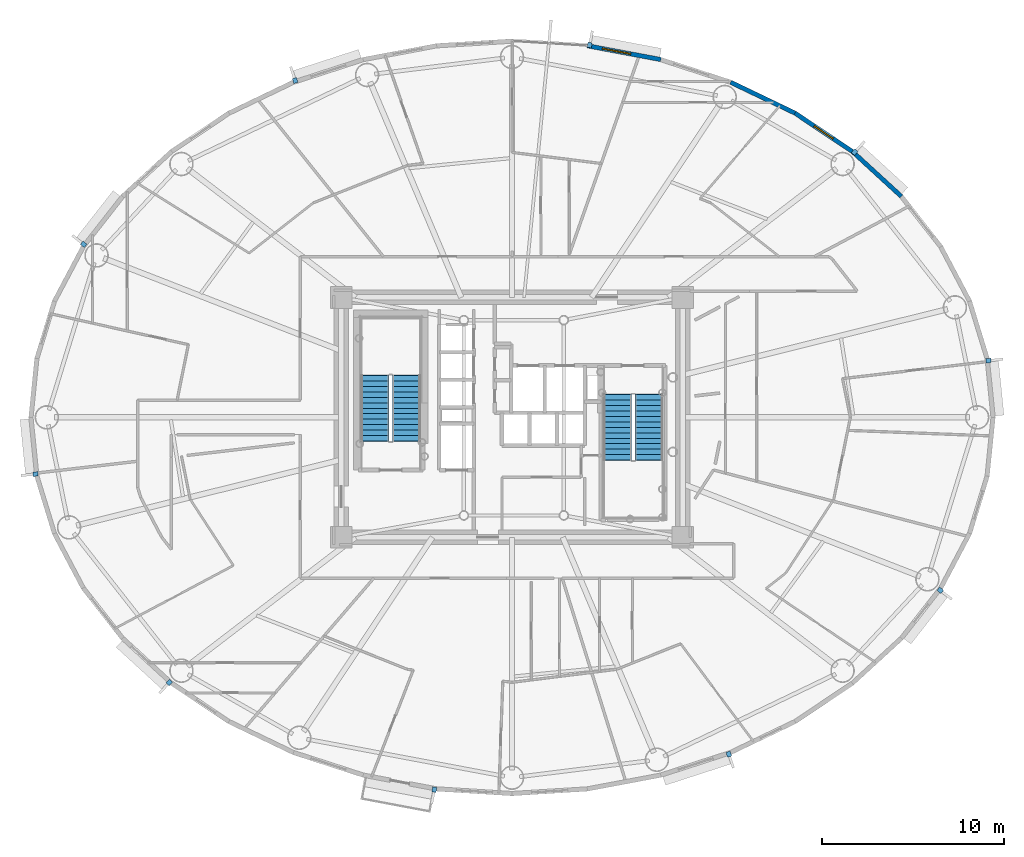
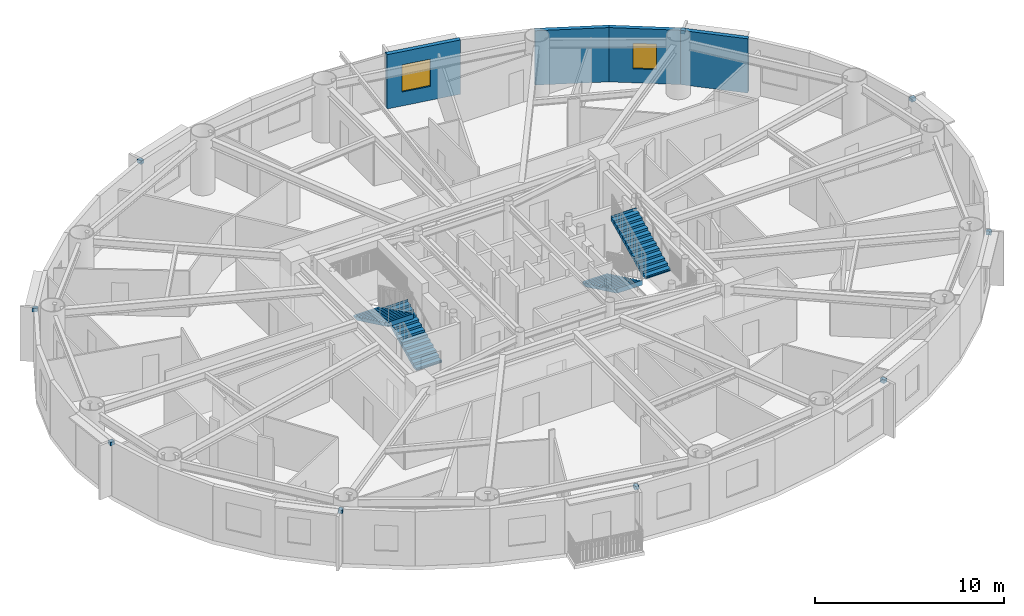
# One storey, part 11 of 17: 10 discrete accessories, 4 stair flights, 4 walls, 2 windows, 2 openings, 2 elements without a shape of their own.
"""IFC4 building model written with IfcOpenShell, lengths in metres."""

from ifc_helpers import new_model, si_unit, direction, frame, frame_2d, origin, origin_2d, place, context, subcontext, project, spatial, polyline, rectangle, outline, extrude, source, transform, mapped, material, layer, layer_set, type_object, element, fill, aggregate, save


model = new_model("IFC4")

# Units and contexts
model_context = context("Model", 3, precision=1e-05, world=origin(), true_north=direction((0.0, 1.0)))
body_context = subcontext(model_context, "Body", "Model", "MODEL_VIEW")
ifc_project = project(units=[si_unit("LENGTHUNIT", "METRE"), si_unit("AREAUNIT", "SQUARE_METRE"), si_unit("VOLUMEUNIT", "CUBIC_METRE"), si_unit("PLANEANGLEUNIT", "RADIAN"), si_unit("MASSUNIT", "GRAM", prefix="KILO")], contexts=[model_context])

# Site, building, storey
site_placement = place(None, origin())
site = spatial("IfcSite", under=ifc_project, at=site_placement, CompositionType="ELEMENT")
building_placement = place(site_placement, origin())
building = spatial("IfcBuilding", under=site, at=building_placement, Name="Linh Dai School and Residence Tower", CompositionType="ELEMENT")
storey_placement = place(building_placement, frame((0.0, 0.0, 182.39990234375)))
storey = spatial("IfcBuildingStorey", under=building, at=storey_placement, Name="L44", CompositionType="ELEMENT", Elevation=182.39990234375)

# Wall
ifc_material_1 = material(Name="Precast Concrete B45 (C35/45)", Category="concrete")
ifc_layer = layer(ifc_material_1, 0.239990234375)
ifc_layer_set = layer_set([ifc_layer], Name="Precast Concrete B45 (C35/45)")
wall_type = type_object("IfcWallType", Name="EW-TC-240", PredefinedType="SOLIDWALL", material=ifc_layer_set)
wall_1_placement = place(storey_placement, frame((54.73193359375, 41.630615234375, 0.0), z_axis=(0.0, 0.0, 1.0), x_axis=(0.737076565834, -0.675809245349, 0.0)))
element("IfcWall", 1, at=wall_1_placement, inside=storey, type_object=wall_type, Name="L44 Terracotta Exterior Wall 05", PredefinedType="SOLIDWALL", context=body_context, shape_type="SweptSolid", body=[
    extrude(rectangle(XDim=3.658203125, YDim=0.239990234375, at=frame_2d((1.8291015625, 0.0))), origin(), (0.0, 0.0, 1.0), 3.5),
])

# Wall, opening, window
wall_2_placement = place(storey_placement, frame((51.5732421875, 43.7431640625, 0.0), z_axis=(0.0, 0.0, 1.0), x_axis=(0.831228998277, -0.555930168657, 0.0)))
wall_2 = element("IfcWall", 2, at=wall_2_placement, inside=storey, type_object=wall_type, Name="L44 Terracotta Exterior Wall 06", PredefinedType="SOLIDWALL", context=body_context, shape_type="SweptSolid", body=[
    extrude(rectangle(XDim=3.800048828125, YDim=0.239990234375, at=frame_2d((1.89990234375, 0.0))), origin(), (0.0, 0.0, 1.0), 3.5),
])
opening_1_placement = place(wall_2_placement, frame((1.27490234375, 0.0, 0.89990234375)))
opening_1 = element("IfcOpeningElement", 3, at=opening_1_placement, cuts=wall_2, Name="Opening W3", PredefinedType="OPENING", context=body_context, shape_type="SweptSolid", body=[
    extrude(rectangle(XDim=1.25, YDim=1.64990234375, at=origin_2d()), frame((0.625, 0.1298828125, 0.824951171875), z_axis=(0.0, -1.0, 0.0), x_axis=(1.0, 0.0, 0.0)), (0.0, 0.0, 1.0), 0.260009765625),
])
ifc_material_2 = material(Name="Double Low-E Insulated Glazing", Category="glass")
window_type_1 = type_object("IfcWindowType", Name="WN-RES-1250x1650", PartitioningType="SINGLE_PANEL", PredefinedType="WINDOW", material=ifc_material_2)
shared_shape_1 = source(origin(), body_context, "Body", "SweptSolid", [
    extrude(rectangle(XDim=1.25, YDim=1.64990234375, at=origin_2d()), frame((0.625, 0.030029296875, 0.824951171875), z_axis=(0.0, -1.0, 0.0), x_axis=(1.0, 0.0, 0.0)), (0.0, 0.0, 1.0), 0.06005859375),
])
window_1_placement = place(opening_1_placement, origin())
window_1 = element("IfcWindow", 4, at=window_1_placement, inside=storey, type_object=window_type_1, Name="L44 Dwelling Window U4401-BD1", OverallHeight=1.64990234375, OverallWidth=1.25, PartitioningType="SINGLE_PANEL", PredefinedType="WINDOW", context=body_context, shape_type="MappedRepresentation", body=[
    mapped(shared_shape_1, transform((0.0, 0.0, 0.0), x_axis=(1.0, 0.0, 0.0), y_axis=(0.0, 1.0, 0.0), z_axis=(0.0, 0.0, 1.0), scale=1.0)),
])
fill(opening_1, window_1)

# Wall
wall_3_placement = place(storey_placement, frame((48.02978515625, 45.443603515625, 0.0), z_axis=(0.0, 0.0, 1.0), x_axis=(0.901564733809, -0.432644231155, 0.0)))
element("IfcWall", 5, at=wall_3_placement, inside=storey, type_object=wall_type, Name="L44 Terracotta Exterior Wall 07", PredefinedType="SOLIDWALL", context=body_context, shape_type="SweptSolid", body=[
    extrude(rectangle(XDim=3.930419921875, YDim=0.239990234375, at=frame_2d((1.96533203125, 0.0))), origin(), (0.0, 0.0, 1.0), 3.5),
])

# Wall, opening, window
wall_4_placement = place(storey_placement, frame((40.145751953125, 47.449462890625, 0.0), z_axis=(0.0, 0.0, 1.0), x_axis=(0.982788108205, -0.184736391573, 0.0)))
wall_4 = element("IfcWall", 6, at=wall_4_placement, inside=storey, type_object=wall_type, Name="L44 Terracotta Exterior Wall 09", PredefinedType="SOLIDWALL", context=body_context, shape_type="SweptSolid", body=[
    extrude(rectangle(XDim=4.114013671875, YDim=0.239990234375, at=frame_2d((2.05712890625, 0.0))), origin(), (0.0, 0.0, 1.0), 3.5),
])
opening_2_placement = place(wall_4_placement, frame((0.83642578125, 0.0, 0.89990234375)))
opening_2 = element("IfcOpeningElement", 7, at=opening_2_placement, cuts=wall_4, Name="Opening W2", PredefinedType="OPENING", context=body_context, shape_type="SweptSolid", body=[
    extrude(rectangle(XDim=1.60009765625, YDim=1.75, at=origin_2d()), frame((0.800048828125, 0.1298828125, 0.875), z_axis=(0.0, -1.0, 0.0), x_axis=(1.0, 0.0, 0.0)), (0.0, 0.0, 1.0), 0.260009765625),
])
window_type_2 = type_object("IfcWindowType", Name="WN-RES-1600x1750", PartitioningType="DOUBLE_PANEL_VERTICAL", PredefinedType="WINDOW", material=ifc_material_2)
shared_shape_2 = source(origin(), body_context, "Body", "SweptSolid", [
    extrude(rectangle(XDim=1.60009765625, YDim=1.75, at=origin_2d()), frame((0.800048828125, 0.030029296875, 0.875), z_axis=(0.0, -1.0, 0.0), x_axis=(1.0, 0.0, 0.0)), (0.0, 0.0, 1.0), 0.06005859375),
])
window_2_placement = place(opening_2_placement, origin())
window_2 = element("IfcWindow", 8, at=window_2_placement, inside=storey, type_object=window_type_2, Name="L44 Exterior Window 09.1", OverallHeight=1.75, OverallWidth=1.60009765625, PartitioningType="DOUBLE_PANEL_VERTICAL", PredefinedType="WINDOW", context=body_context, shape_type="MappedRepresentation", body=[
    mapped(shared_shape_2, transform((0.0, 0.0, 0.0), x_axis=(1.0, 0.0, 0.0), y_axis=(0.0, 1.0, 0.0), z_axis=(0.0, 0.0, 1.0), scale=1.0)),
])
fill(opening_2, window_2)

# Stair, stair flights
ifc_material_3 = material(Name="Concrete B45 (C35/45)", Category="concrete")
stair_type = type_object("IfcStairType", Name="ST-DOG-1550-R1442", PredefinedType="HALF_TURN_STAIR", material=ifc_material_3)
stair_1_placement = place(storey_placement, origin())
stair_1 = element("IfcStair", 9, at=stair_1_placement, inside=storey, type_object=stair_type, Name="L44 Core Smokeproof Exit Stair ST1", PredefinedType="HALF_TURN_STAIR")
stair_flight_type = type_object("IfcStairFlightType", Name="STF-STR-1550-R1442", PredefinedType="STRAIGHT", material=ifc_material_3)
shared_shape_3 = source(origin(), body_context, "Body", "SweptSolid", [
    extrude(outline(polyline([(-0.02490234375, 0.0), (-0.02490234375, 0.06005859375), (0.0, 0.06005859375), (0.0, 0.144287109375), (0.300048828125, 0.144287109375), (0.300048828125, 0.28857421875), (0.60009765625, 0.28857421875), (0.60009765625, 0.4326171875), (0.89990234375, 0.4326171875), (0.89990234375, 0.576904296875), (1.199951171875, 0.576904296875), (1.199951171875, 0.72119140625), (1.5, 0.72119140625), (1.5, 0.865478515625), (1.800048828125, 0.865478515625), (1.800048828125, 1.009521484375), (2.10009765625, 1.009521484375), (2.10009765625, 1.15380859375), (2.39990234375, 1.15380859375), (2.39990234375, 1.298095703125), (2.699951171875, 1.298095703125), (2.699951171875, 1.4423828125), (3.0, 1.4423828125), (3.0, 1.58642578125), (3.300048828125, 1.58642578125), (3.300048828125, 1.730712890625), (3.60009765625, 1.730712890625), (3.60009765625, 1.875), (3.625, 1.875), (3.625, 1.564453125), (3.60009765625, 1.564453125), (0.345947265625, 0.0), (-0.02490234375, 0.0)])), frame((0.0, 0.77490234375, 0.0), z_axis=(0.0, -1.0, 0.0), x_axis=(1.0, 0.0, 0.0)), (0.0, 0.0, 1.0), 1.550048828125),
])
stair_flight_1_placement = place(storey_placement, frame((30.205078125, 25.699951171875, 0.0), z_axis=(0.0, 0.0, 1.0), x_axis=(0.0, 1.0, 0.0)))
stair_flight_1 = element("IfcStairFlight", 10, at=stair_flight_1_placement, type_object=stair_flight_type, Name="ST1 flight 1", NumberOfRisers=13, NumberOfTreads=12, PredefinedType="STRAIGHT", RiserHeight=0.144230769, TreadLength=0.3, context=body_context, shape_type="MappedRepresentation", body=[
    mapped(shared_shape_3, transform((0.0, 0.0, 0.0), x_axis=(1.0, 0.0, 0.0), y_axis=(0.0, 1.0, 0.0), z_axis=(0.0, 0.0, 1.0), scale=1.0)),
])
stair_flight_2_placement = place(storey_placement, frame((28.455078125, 29.300048828125, 1.875), z_axis=(0.0, 0.0, 1.0), x_axis=(0.0, -1.0, 0.0)))
stair_flight_2 = element("IfcStairFlight", 11, at=stair_flight_2_placement, type_object=stair_flight_type, Name="ST1 flight 2", NumberOfRisers=13, NumberOfTreads=12, PredefinedType="STRAIGHT", RiserHeight=0.144230769, TreadLength=0.3, context=body_context, shape_type="MappedRepresentation", body=[
    mapped(shared_shape_3, transform((0.0, 0.0, 0.0), x_axis=(1.0, 0.0, 0.0), y_axis=(0.0, 1.0, 0.0), z_axis=(0.0, 0.0, 1.0), scale=1.0)),
])
aggregate(stair_1, [stair_flight_1, stair_flight_2])

stair_2_placement = place(storey_placement, origin())
stair_2 = element("IfcStair", 12, at=stair_2_placement, inside=storey, type_object=stair_type, Name="L44 Core Smokeproof Exit Stair ST2", PredefinedType="HALF_TURN_STAIR")
stair_flight_3_placement = place(storey_placement, frame((41.794921875, 28.25, 0.0), z_axis=(0.0, 0.0, 1.0), x_axis=(0.0, -1.0, 0.0)))
stair_flight_3 = element("IfcStairFlight", 13, at=stair_flight_3_placement, type_object=stair_flight_type, Name="ST2 flight 1", NumberOfRisers=13, NumberOfTreads=12, PredefinedType="STRAIGHT", RiserHeight=0.144230769, TreadLength=0.3, context=body_context, shape_type="MappedRepresentation", body=[
    mapped(shared_shape_3, transform((0.0, 0.0, 0.0), x_axis=(1.0, 0.0, 0.0), y_axis=(0.0, 1.0, 0.0), z_axis=(0.0, 0.0, 1.0), scale=1.0)),
])
stair_flight_4_placement = place(storey_placement, frame((43.544921875, 24.64990234375, 1.875), z_axis=(0.0, 0.0, 1.0), x_axis=(0.0, 1.0, 0.0)))
stair_flight_4 = element("IfcStairFlight", 14, at=stair_flight_4_placement, type_object=stair_flight_type, Name="ST2 flight 2", NumberOfRisers=13, NumberOfTreads=12, PredefinedType="STRAIGHT", RiserHeight=0.144230769, TreadLength=0.3, context=body_context, shape_type="MappedRepresentation", body=[
    mapped(shared_shape_3, transform((0.0, 0.0, 0.0), x_axis=(1.0, 0.0, 0.0), y_axis=(0.0, 1.0, 0.0), z_axis=(0.0, 0.0, 1.0), scale=1.0)),
])
aggregate(stair_2, [stair_flight_3, stair_flight_4])

# Discrete accessories
ifc_material_4 = material(Name="Structural Steel S355JR", Category="steel")
discrete_accessory_type = type_object("IfcDiscreteAccessoryType", Name="ACC-BRK-S355", PredefinedType="BRACKET", material=ifc_material_4)
shared_shape_4 = source(origin(), body_context, "Body", "SweptSolid", [
    extrude(rectangle(XDim=0.280029296875, YDim=0.239990234375, at=origin_2d()), origin(), (0.0, 0.0, 1.0), 0.219970703125),
])
for number, where, z_axis, x_axis, name in (
    (15, (62.2216796875, 30.120361328125, 3.25), (0.0, 0.0, 1.0), (0.994987256586, 0.100001796141, 0.0), "L44 Facade Frame Anchor Bracket 01"),
    (16, (54.861083984375, 41.59375, 3.25), (0.0, 0.0, 1.0), (0.67580001435, 0.737085029426, 0.0), "L44 Facade Frame Anchor Bracket 05"),
    (17, (40.27490234375, 47.486328125, 3.25), (0.0, 0.0, 1.0), (0.184762540184, 0.982783192645, 0.0), "L44 Facade Frame Anchor Bracket 09"),
    (18, (24.06591796875, 45.53759765625, 3.25), (0.0, 0.0, 1.0), (-0.308535707031, 0.951212761419, 0.0), "L44 Facade Frame Anchor Bracket 13"),
    (19, (12.4306640625, 36.52001953125, 3.25), (0.0, 0.0, 1.0), (-0.787522158319, 0.616286337798, 0.0), "L44 Facade Frame Anchor Bracket 17"),
    (20, (9.7783203125, 23.879638671875, 3.25), (0.0, 0.0, 1.0), (-0.994987256586, -0.100001796141, 0.0), "L44 Facade Frame Anchor Bracket 21"),
    (21, (17.138916015625, 12.40625, 3.25), (0.0, 0.0, 1.0), (-0.67580001435, -0.737085029426, 0.0), "L44 Facade Frame Anchor Bracket 25"),
    (22, (31.72509765625, 6.513671875, 3.25), (0.0, 0.0, 1.0), (-0.184762540184, -0.982783192645, 0.0), "L44 Facade Frame Anchor Bracket 29"),
    (23, (47.93408203125, 8.46240234375, 3.25), (0.0, 0.0, 1.0), (0.308535707031, -0.951212761419, 0.0), "L44 Facade Frame Anchor Bracket 33"),
    (24, (59.5693359375, 17.47998046875, 3.25), (0.0, 0.0, 1.0), (0.787522158319, -0.616286337798, 0.0), "L44 Facade Frame Anchor Bracket 37"),
):
    element("IfcDiscreteAccessory", number, at=place(storey_placement, frame(where, z_axis=z_axis, x_axis=x_axis)), inside=storey, type_object=discrete_accessory_type, Name=name, PredefinedType="BRACKET", context=body_context, shape_type="MappedRepresentation", body=[
        mapped(shared_shape_4, transform((0.0, 0.0, 0.0), x_axis=(1.0, 0.0, 0.0), y_axis=(0.0, 1.0, 0.0), z_axis=(0.0, 0.0, 1.0), scale=1.0)),
    ])

save(model, "model.ifc")
